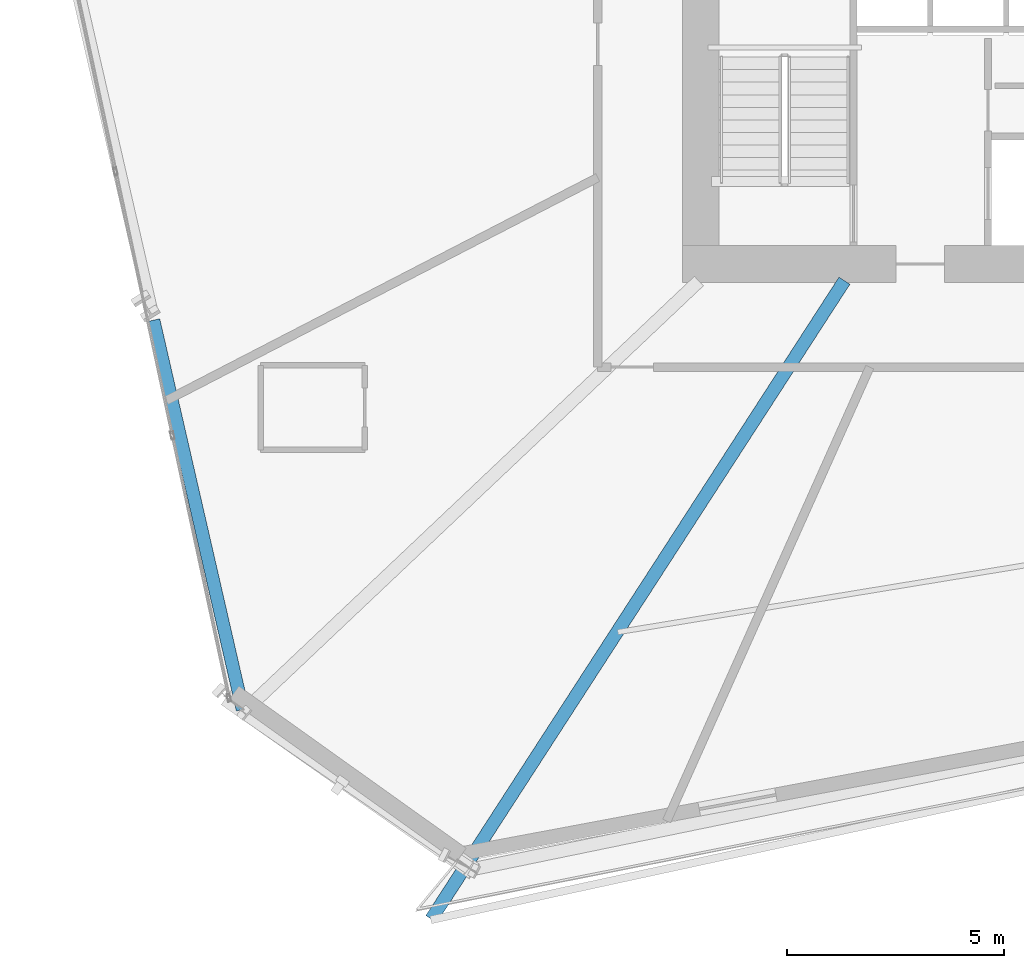
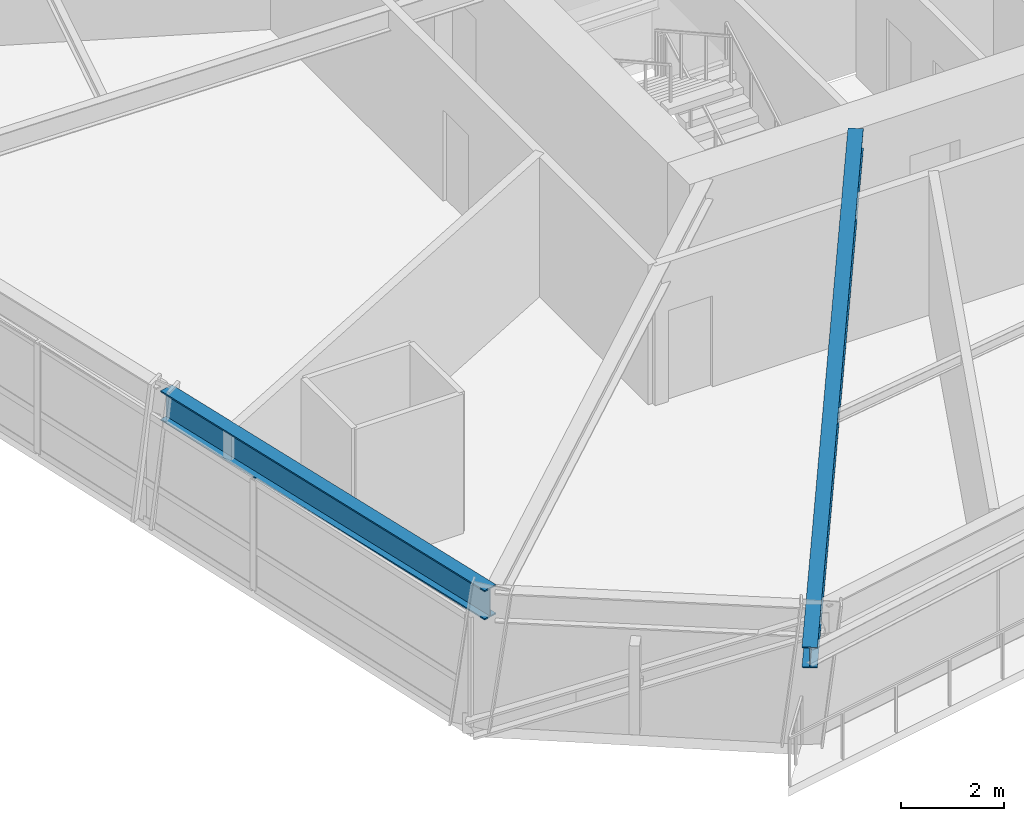
# One storey, part 3 of 24: 2 beams.
"""IFC4 building model written with IfcOpenShell, lengths in metres."""

from ifc_helpers import new_model, si_unit, direction, frame, origin, origin_2d, place, context, subcontext, project, spatial, i_section, extrude, source, transform, mapped, material, material_profile, profile_set, type_object, element, save


model = new_model("IFC4")

# Units and contexts
model_context = context("Model", 3, precision=1e-05, world=origin(), true_north=direction((0.0, 1.0)))
body_context = subcontext(model_context, "Body", "Model", "MODEL_VIEW")
ifc_project = project(units=[si_unit("LENGTHUNIT", "METRE"), si_unit("AREAUNIT", "SQUARE_METRE"), si_unit("VOLUMEUNIT", "CUBIC_METRE"), si_unit("PLANEANGLEUNIT", "RADIAN"), si_unit("MASSUNIT", "GRAM", prefix="KILO")], contexts=[model_context])

# Site, building, storey
site_placement = place(None, origin())
site = spatial("IfcSite", under=ifc_project, at=site_placement, CompositionType="ELEMENT")
building_placement = place(site_placement, origin())
building = spatial("IfcBuilding", under=site, at=building_placement, Name="Olszyna Solenne Hotel", CompositionType="ELEMENT")
storey_placement = place(building_placement, frame((0.0, 0.0, 29.300048828125)))
storey = spatial("IfcBuildingStorey", under=building, at=storey_placement, Name="L06", CompositionType="ELEMENT", Elevation=29.300048828125)

# Beams
ifc_material = material(Name="Steel S355J2", Category="steel")
ifc_material_profile_1 = material_profile(ifc_material, i_section(OverallWidth=0.300048828125, OverallDepth=0.699951171875, WebThickness=0.01708984375, FlangeThickness=0.031982421875, at=origin_2d()), Name="HEB 700", Category="load-bearing")
ifc_profile_set_1 = profile_set([ifc_material_profile_1], Name="Steel S355J2")
beam_type_1 = type_object("IfcBeamType", Name="BM-S1", PredefinedType="BEAM", material=ifc_profile_set_1)
shared_shape_1 = source(origin(), body_context, "Body", "SweptSolid", [
    extrude(i_section(OverallWidth=0.300048828125, OverallDepth=0.699951171875, WebThickness=0.01708984375, FlangeThickness=0.031982421875, at=origin_2d()), origin(), (0.0, 0.0, 1.0), 9.209228515625),
])
beam_1_placement = place(storey_placement, frame((17.0556640625, 17.782470703125, 2.949951171875), z_axis=(0.223538825499, -0.97469502589, 0.0), x_axis=(0.97469502589, 0.223538825499, 0.0)))
element("IfcBeam", 1, at=beam_1_placement, inside=storey, type_object=beam_type_1, Name="Perimeter spandrel beam BM-S1 B-L06-0208", PredefinedType="BEAM", context=body_context, shape_type="MappedRepresentation", body=[
    mapped(shared_shape_1, transform((0.0, 0.0, 0.0), x_axis=(1.0, 0.0, 0.0), y_axis=(0.0, 1.0, 0.0), z_axis=(0.0, 0.0, 1.0), scale=1.0)),
])
ifc_material_profile_2 = material_profile(ifc_material, i_section(OverallWidth=0.300048828125, OverallDepth=0.489990234375, WebThickness=0.011962890625, FlangeThickness=0.02294921875, at=origin_2d()), Name="HEA 500", Category="load-bearing")
ifc_profile_set_2 = profile_set([ifc_material_profile_2], Name="Steel S355J2")
beam_type_2 = type_object("IfcBeamType", Name="BM-G1", PredefinedType="BEAM", material=ifc_profile_set_2)
shared_shape_2 = source(origin(), body_context, "Body", "SweptSolid", [
    extrude(i_section(OverallWidth=0.300048828125, OverallDepth=0.489990234375, WebThickness=0.011962890625, FlangeThickness=0.02294921875, at=origin_2d()), origin(), (0.0, 0.0, 1.0), 17.53271484375),
])
beam_2_placement = place(storey_placement, frame((23.462158203125, 3.972900390625, 3.054931640625), z_axis=(0.543308436979, 0.839533169272, 0.0), x_axis=(-0.839533169272, 0.543308436979, 0.0)))
element("IfcBeam", 2, at=beam_2_placement, inside=storey, type_object=beam_type_2, Name="Radial floor girder BM-G1 B-L06-0220", PredefinedType="BEAM", context=body_context, shape_type="MappedRepresentation", body=[
    mapped(shared_shape_2, transform((0.0, 0.0, 0.0), x_axis=(1.0, 0.0, 0.0), y_axis=(0.0, 1.0, 0.0), z_axis=(0.0, 0.0, 1.0), scale=1.0)),
])

save(model, "model.ifc")
